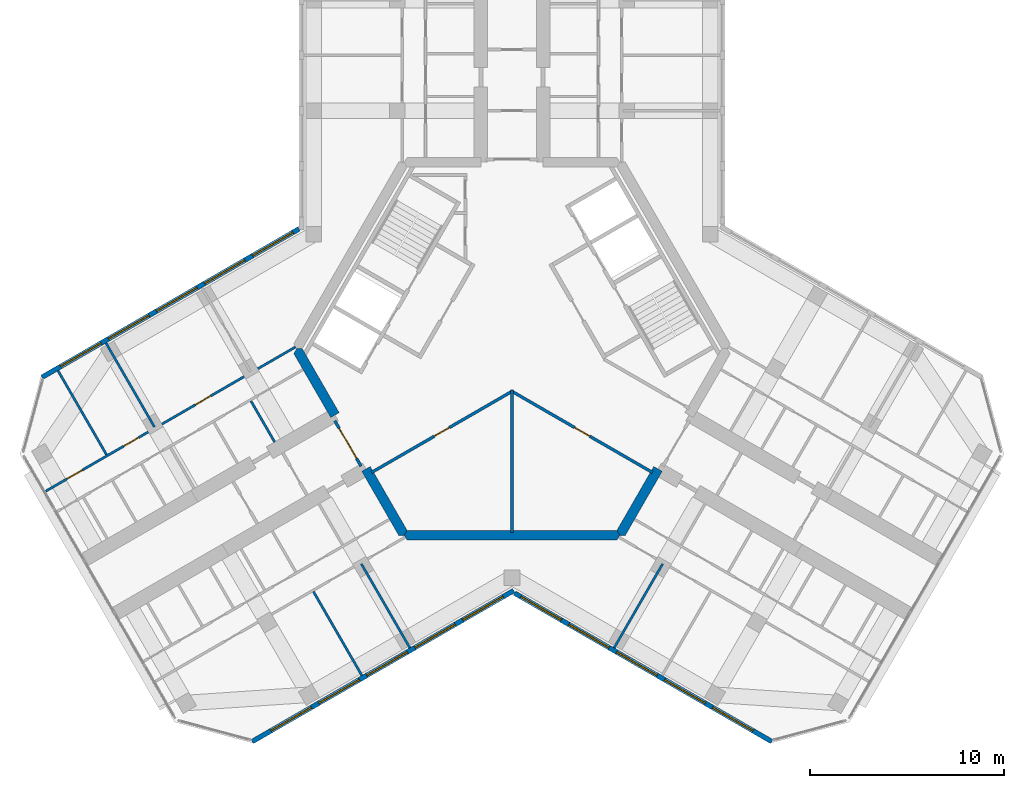
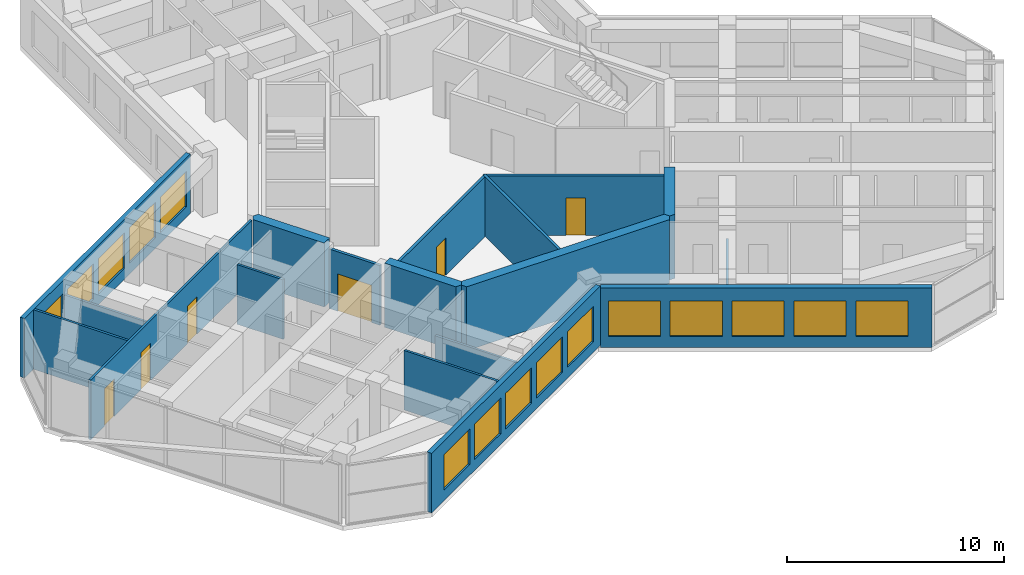
# One storey, part 8 of 14: 18 walls, 15 windows, 6 doors, 21 openings.
"""IFC4 building model written with IfcOpenShell, lengths in metres."""

from ifc_helpers import new_model, si_unit, direction, frame, frame_2d, origin, place, context, subcontext, project, spatial, polyline, rectangle, outline, extrude, material, layer, layer_set, type_object, element, fill, save


model = new_model("IFC4")

# Units and contexts
model_context = context("Model", 3, precision=1e-05, world=origin(), true_north=direction((0.0, 1.0)))
body_context = subcontext(model_context, "Body", "Model", "MODEL_VIEW")
ifc_project = project(units=[si_unit("LENGTHUNIT", "METRE"), si_unit("AREAUNIT", "SQUARE_METRE"), si_unit("VOLUMEUNIT", "CUBIC_METRE"), si_unit("PLANEANGLEUNIT", "RADIAN"), si_unit("MASSUNIT", "GRAM", prefix="KILO")], contexts=[model_context])

# Site, building, storey
site_placement = place(None, origin())
site = spatial("IfcSite", under=ifc_project, at=site_placement, CompositionType="ELEMENT")
building_placement = place(site_placement, origin())
building = spatial("IfcBuilding", under=site, at=building_placement, Name="Kosmar Iwan School Tower", CompositionType="ELEMENT")
storey_placement = place(building_placement, frame((0.0, 0.0, 285.39990234375)))
storey = spatial("IfcBuildingStorey", under=building, at=storey_placement, Name="L72", CompositionType="ELEMENT", Elevation=285.39990234375)

# Wall
ifc_material_1 = material(Name="Gypsum board on steel studs, fire-rated", Category="steel")
ifc_layer_1 = layer(ifc_material_1, 0.14990234375)
ifc_layer_set_1 = layer_set([ifc_layer_1], Name="Core room partition 150")
wall_type_1 = type_object("IfcWallType", Name="Core room partition 150", PredefinedType="PARTITIONING", material=ifc_layer_set_1)
wall_1_placement = place(storey_placement, frame((0.0, -9.445068359375, 0.0), z_axis=(0.0, 0.0, 1.0), x_axis=(0.0, 1.0, 0.0)))
element("IfcWall", 1, at=wall_1_placement, inside=storey, type_object=wall_type_1, Name="Core room partition L72-CW5", PredefinedType="PARTITIONING", context=body_context, shape_type="SweptSolid", body=[
    extrude(rectangle(XDim=7.326171875, YDim=0.14990234375, at=frame_2d((3.6630859375, 0.0))), origin(), (0.0, 0.0, 1.0), 3.35009765625),
])

# Wall, opening, door
wall_2_placement = place(storey_placement, frame((-0.06494140625, -2.156494140625, 0.0), z_axis=(0.0, 0.0, 1.0), x_axis=(0.866026299211, -0.499998449073, 0.0)))
wall_2 = element("IfcWall", 2, at=wall_2_placement, inside=storey, type_object=wall_type_1, Name="Core room partition L72-CW6", PredefinedType="PARTITIONING", context=body_context, shape_type="SweptSolid", body=[
    extrude(rectangle(XDim=8.4228515625, YDim=0.14990234375, at=frame_2d((4.21142578125, 0.0))), origin(), (0.0, 0.0, 1.0), 3.35009765625),
])
opening_1_placement = place(wall_2_placement, frame((3.797119140625, 0.0, 0.0)))
opening_1 = element("IfcOpeningElement", 3, at=opening_1_placement, cuts=wall_2, Name="Opening D14", PredefinedType="OPENING", context=body_context, shape_type="SweptSolid", body=[
    extrude(rectangle(XDim=0.89990234375, YDim=2.10009765625, at=frame_2d((0.449951171875, 1.050048828125))), frame((0.0, 0.0869140625, 0.0), z_axis=(0.0, -1.0, 0.0), x_axis=(1.0, 0.0, 0.0)), (0.0, 0.0, 1.0), 0.173828125),
])
ifc_material_2 = material(Name="Timber fire door in steel frame", Category="steel")
door_type_1 = type_object("IfcDoorType", Name="Core room door 900x2100", OperationType="SINGLE_SWING_LEFT", PredefinedType="DOOR", material=ifc_material_2)
door_1_placement = place(opening_1_placement, origin())
door_1 = element("IfcDoor", 4, at=door_1_placement, inside=storey, type_object=door_type_1, Name="Parcel room door L72 3", OperationType="SINGLE_SWING_RIGHT", OverallHeight=2.10009765625, OverallWidth=0.89990234375, PredefinedType="DOOR", context=body_context, shape_type="SweptSolid", body=[
    extrude(rectangle(XDim=0.89990234375, YDim=2.10009765625, at=frame_2d((0.449951171875, 1.050048828125))), frame((0.0, 0.02490234375, 0.0), z_axis=(0.0, -1.0, 0.0), x_axis=(1.0, 0.0, 0.0)), (0.0, 0.0, 1.0), 0.050048828125),
])
fill(opening_1, door_1)

wall_3_placement = place(storey_placement, frame((-7.2294921875, -6.367919921875, 0.0), z_axis=(0.0, 0.0, 1.0), x_axis=(0.866026299211, 0.499998449073, 0.0)))
wall_3 = element("IfcWall", 5, at=wall_3_placement, inside=storey, type_object=wall_type_1, Name="Core room partition L72-CW7", PredefinedType="PARTITIONING", context=body_context, shape_type="SweptSolid", body=[
    extrude(rectangle(XDim=8.4228515625, YDim=0.14990234375, at=frame_2d((4.21142578125, 0.0))), origin(), (0.0, 0.0, 1.0), 3.35009765625),
])
opening_2_placement = place(wall_3_placement, frame((3.72705078125, 0.0, 0.0)))
opening_2 = element("IfcOpeningElement", 6, at=opening_2_placement, cuts=wall_3, Name="Opening D14", PredefinedType="OPENING", context=body_context, shape_type="SweptSolid", body=[
    extrude(rectangle(XDim=0.89990234375, YDim=2.10009765625, at=frame_2d((0.449951171875, 1.050048828125))), frame((0.0, 0.0869140625, 0.0), z_axis=(0.0, -1.0, 0.0), x_axis=(1.0, 0.0, 0.0)), (0.0, 0.0, 1.0), 0.173828125),
])
door_2_placement = place(opening_2_placement, origin())
door_2 = element("IfcDoor", 7, at=door_2_placement, inside=storey, type_object=door_type_1, Name="Refuse and recycling room door L72 4", OperationType="SINGLE_SWING_LEFT", OverallHeight=2.10009765625, OverallWidth=0.89990234375, PredefinedType="DOOR", context=body_context, shape_type="SweptSolid", body=[
    extrude(rectangle(XDim=0.89990234375, YDim=2.10009765625, at=frame_2d((0.449951171875, 1.050048828125))), frame((0.0, 0.02490234375, 0.0), z_axis=(0.0, -1.0, 0.0), x_axis=(1.0, 0.0, 0.0)), (0.0, 0.0, 1.0), 0.050048828125),
])
fill(opening_2, door_2)

# Walls
ifc_material_3 = material(Name="Concrete C50/60", Category="concrete")
ifc_layer_2 = layer(ifc_material_3, 0.5)
ifc_layer_set_2 = layer_set([ifc_layer_2], Name="Core wall 500")
wall_type_2 = type_object("IfcWallType", Name="Core wall 500", PredefinedType="SHEAR", material=ifc_layer_set_2)
wall_4_placement = place(storey_placement, origin())
element("IfcWall", 8, at=wall_4_placement, inside=storey, type_object=wall_type_2, Name="Core wall F210a", PredefinedType="SHEAR", context=body_context, shape_type="SweptSolid", body=[
    extrude(outline(polyline([(-9.330322265625, -3.539306640625), (-8.897216796875, -3.289306640625), (-10.79638671875, 0.0), (-11.085205078125, 0.0), (-11.2294921875, -0.25), (-9.330322265625, -3.539306640625)])), origin(), (0.0, 0.0, 1.0), 3.60009765625),
])
wall_5_placement = place(storey_placement, origin())
element("IfcWall", 9, at=wall_5_placement, inside=storey, type_object=wall_type_2, Name="Core wall F210b", PredefinedType="SHEAR", context=body_context, shape_type="SweptSolid", body=[
    extrude(outline(polyline([(-5.831298828125, -9.60009765625), (-5.54248046875, -9.60009765625), (-5.398193359375, -9.35009765625), (-7.29736328125, -6.060546875), (-7.73046875, -6.310546875), (-5.831298828125, -9.60009765625)])), origin(), (0.0, 0.0, 1.0), 3.60009765625),
])
wall_6_placement = place(storey_placement, origin())
element("IfcWall", 10, at=wall_6_placement, inside=storey, type_object=wall_type_2, Name="Core wall F270", PredefinedType="SHEAR", context=body_context, shape_type="SweptSolid", body=[
    extrude(outline(polyline([(-5.398193359375, -9.85009765625), (5.398193359375, -9.85009765625), (5.54248046875, -9.60009765625), (5.398193359375, -9.35009765625), (-5.398193359375, -9.35009765625), (-5.54248046875, -9.60009765625), (-5.398193359375, -9.85009765625)])), origin(), (0.0, 0.0, 1.0), 3.60009765625),
])
wall_7_placement = place(storey_placement, origin())
element("IfcWall", 11, at=wall_7_placement, inside=storey, type_object=wall_type_2, Name="Core wall F330a", PredefinedType="SHEAR", context=body_context, shape_type="SweptSolid", body=[
    extrude(outline(polyline([(5.54248046875, -9.60009765625), (5.831298828125, -9.60009765625), (7.73046875, -6.310546875), (7.29736328125, -6.060546875), (5.398193359375, -9.35009765625), (5.54248046875, -9.60009765625)])), origin(), (0.0, 0.0, 1.0), 3.60009765625),
])

# Wall, opening, door
ifc_material_4 = material(Name="Steel framed glazed screen", Category="steel")
ifc_layer_3 = layer(ifc_material_4, 0.14990234375)
ifc_layer_set_3 = layer_set([ifc_layer_3], Name="Corridor screen wall 150")
wall_type_3 = type_object("IfcWallType", Name="Corridor screen wall 150", PredefinedType="PARTITIONING", material=ifc_layer_set_3)
wall_8_placement = place(storey_placement, frame((-9.11865234375, -3.705810546875, 0.0), z_axis=(0.0, 0.0, 1.0), x_axis=(0.4999416173, -0.866059108428, 0.0)))
wall_8 = element("IfcWall", 12, at=wall_8_placement, inside=storey, type_object=wall_type_3, Name="Corridor screen B L72", PredefinedType="PARTITIONING", context=body_context, shape_type="SweptSolid", body=[
    extrude(rectangle(XDim=2.699951171875, YDim=0.14990234375, at=frame_2d((1.35009765625, 0.0))), origin(), (0.0, 0.0, 1.0), 3.35009765625),
])
opening_3_placement = place(wall_8_placement, frame((0.449951171875, 0.0, 0.0)))
opening_3 = element("IfcOpeningElement", 13, at=opening_3_placement, cuts=wall_8, Name="Opening D9", PredefinedType="OPENING", context=body_context, shape_type="SweptSolid", body=[
    extrude(rectangle(XDim=1.800048828125, YDim=2.10009765625, at=frame_2d((0.89990234375, 1.050048828125))), frame((0.0, 0.0869140625, 0.0), z_axis=(0.0, -1.0, 0.0), x_axis=(1.0, 0.0, 0.0)), (0.0, 0.0, 1.0), 0.173828125),
])
ifc_material_5 = material(Name="Steel framed glazed smoke door", Category="steel")
door_type_2 = type_object("IfcDoorType", Name="Corridor smoke door pair 1800x2100", OperationType="DOUBLE_DOOR_DOUBLE_SWING", PredefinedType="DOOR", material=ifc_material_5)
door_3_placement = place(opening_3_placement, origin())
door_3 = element("IfcDoor", 14, at=door_3_placement, inside=storey, type_object=door_type_2, Name="Corridor doors B L72", OperationType="DOUBLE_DOOR_DOUBLE_SWING", OverallHeight=2.10009765625, OverallWidth=1.800048828125, PredefinedType="DOOR", context=body_context, shape_type="SweptSolid", body=[
    extrude(rectangle(XDim=1.800048828125, YDim=2.10009765625, at=frame_2d((0.89990234375, 1.050048828125))), frame((0.0, 0.02490234375, 0.0), z_axis=(0.0, -1.0, 0.0), x_axis=(1.0, 0.0, 0.0)), (0.0, 0.0, 1.0), 0.050048828125),
])
fill(opening_3, door_3)

# Walls
ifc_material_6 = material(Name="Gypsum board on steel studs", Category="steel")
ifc_layer_4 = layer(ifc_material_6, 0.1201171875)
ifc_layer_set_4 = layer_set([ifc_layer_4], Name="Dwelling partition 120")
wall_type_4 = type_object("IfcWallType", Name="Dwelling partition 120", PredefinedType="PARTITIONING", material=ifc_layer_set_4)
wall_9_placement = place(storey_placement, frame((-7.75390625, -11.070068359375, 0.0), z_axis=(0.0, 0.0, 1.0), x_axis=(0.500011847778, -0.866018563358, 0.0)))
element("IfcWall", 15, at=wall_9_placement, inside=storey, type_object=wall_type_4, Name="Partition L72-BL1-X1", PredefinedType="PARTITIONING", context=body_context, shape_type="SweptSolid", body=[
    extrude(rectangle(XDim=4.990234375, YDim=0.1201171875, at=frame_2d((2.4951171875, 0.0))), origin(), (0.0, 0.0, 1.0), 2.4501953125),
])
wall_10_placement = place(storey_placement, frame((-10.221923828125, -12.4951171875, 0.0), z_axis=(0.0, 0.0, 1.0), x_axis=(0.499996339024, -0.86602751744, 0.0)))
element("IfcWall", 16, at=wall_10_placement, inside=storey, type_object=wall_type_4, Name="Partition L72-BL1-X2", PredefinedType="PARTITIONING", context=body_context, shape_type="SweptSolid", body=[
    extrude(rectangle(XDim=4.98974609375, YDim=0.1201171875, at=frame_2d((2.494873046875, 0.0))), origin(), (0.0, 0.0, 1.0), 3.35009765625),
])

# Wall, openings, doors
wall_11_placement = place(storey_placement, frame((-11.138916015625, 0.093017578125, 0.0), z_axis=(0.0, 0.0, 1.0), x_axis=(-0.866030301974, -0.499991515992, 0.0)))
wall_11 = element("IfcWall", 17, at=wall_11_placement, inside=storey, type_object=wall_type_4, Name="Partition L72-BR1-W2", PredefinedType="PARTITIONING", context=body_context, shape_type="SweptSolid", body=[
    extrude(rectangle(XDim=14.844970703125, YDim=0.1201171875, at=frame_2d((7.42236328125, 0.0))), origin(), (0.0, 0.0, 1.0), 3.35009765625),
])
opening_4_placement = place(wall_11_placement, frame((5.050048828125, 0.0, 0.0)))
opening_4 = element("IfcOpeningElement", 18, at=opening_4_placement, cuts=wall_11, Name="Opening D2", PredefinedType="OPENING", context=body_context, shape_type="SweptSolid", body=[
    extrude(rectangle(XDim=0.89990234375, YDim=2.10009765625, at=frame_2d((0.449951171875, 1.050048828125))), frame((0.0, 0.072021484375, 0.0), z_axis=(0.0, -1.0, 0.0), x_axis=(1.0, 0.0, 0.0)), (0.0, 0.0, 1.0), 0.14404296875),
])
opening_5_placement = place(wall_11_placement, frame((9.324951171875, 0.0, 0.0)))
opening_5 = element("IfcOpeningElement", 19, at=opening_5_placement, cuts=wall_11, Name="Opening D2", PredefinedType="OPENING", context=body_context, shape_type="SweptSolid", body=[
    extrude(rectangle(XDim=0.89990234375, YDim=2.10009765625, at=frame_2d((0.449951171875, 1.050048828125))), frame((0.0, 0.072021484375, 0.0), z_axis=(0.0, -1.0, 0.0), x_axis=(1.0, 0.0, 0.0)), (0.0, 0.0, 1.0), 0.14404296875),
])
opening_6_placement = place(wall_11_placement, frame((12.675048828125, 0.0, 0.0)))
opening_6 = element("IfcOpeningElement", 20, at=opening_6_placement, cuts=wall_11, Name="Opening D2", PredefinedType="OPENING", context=body_context, shape_type="SweptSolid", body=[
    extrude(rectangle(XDim=0.89990234375, YDim=2.10009765625, at=frame_2d((0.449951171875, 1.050048828125))), frame((0.0, 0.072021484375, 0.0), z_axis=(0.0, -1.0, 0.0), x_axis=(1.0, 0.0, 0.0)), (0.0, 0.0, 1.0), 0.14404296875),
])
ifc_material_7 = material(Name="Timber door in timber frame", Category="wood")
door_type_3 = type_object("IfcDoorType", Name="Internal door 900x2100", OperationType="SINGLE_SWING_LEFT", PredefinedType="DOOR", material=ifc_material_7)
door_4_placement = place(opening_4_placement, origin())
door_4 = element("IfcDoor", 21, at=door_4_placement, inside=storey, type_object=door_type_3, Name="Living room door L72-BR1-F2", OperationType="SINGLE_SWING_LEFT", OverallHeight=2.10009765625, OverallWidth=0.89990234375, PredefinedType="DOOR", context=body_context, shape_type="SweptSolid", body=[
    extrude(rectangle(XDim=0.89990234375, YDim=2.10009765625, at=frame_2d((0.449951171875, 1.050048828125))), frame((0.0, 0.02490234375, 0.0), z_axis=(0.0, -1.0, 0.0), x_axis=(1.0, 0.0, 0.0)), (0.0, 0.0, 1.0), 0.050048828125),
])
fill(opening_4, door_4)
door_5_placement = place(opening_5_placement, origin())
door_5 = element("IfcDoor", 22, at=door_5_placement, inside=storey, type_object=door_type_3, Name="Dining room door L72-BR1-F3", OperationType="SINGLE_SWING_RIGHT", OverallHeight=2.10009765625, OverallWidth=0.89990234375, PredefinedType="DOOR", context=body_context, shape_type="SweptSolid", body=[
    extrude(rectangle(XDim=0.89990234375, YDim=2.10009765625, at=frame_2d((0.449951171875, 1.050048828125))), frame((0.0, 0.02490234375, 0.0), z_axis=(0.0, -1.0, 0.0), x_axis=(1.0, 0.0, 0.0)), (0.0, 0.0, 1.0), 0.050048828125),
])
fill(opening_5, door_5)
door_6_placement = place(opening_6_placement, origin())
door_6 = element("IfcDoor", 23, at=door_6_placement, inside=storey, type_object=door_type_3, Name="Bedroom 1 door L72-BR1-F4", OperationType="SINGLE_SWING_RIGHT", OverallHeight=2.10009765625, OverallWidth=0.89990234375, PredefinedType="DOOR", context=body_context, shape_type="SweptSolid", body=[
    extrude(rectangle(XDim=0.89990234375, YDim=2.10009765625, at=frame_2d((0.449951171875, 1.050048828125))), frame((0.0, 0.02490234375, 0.0), z_axis=(0.0, -1.0, 0.0), x_axis=(1.0, 0.0, 0.0)), (0.0, 0.0, 1.0), 0.050048828125),
])
fill(opening_6, door_6)

# Walls
wall_12_placement = place(storey_placement, frame((-18.400146484375, -4.030029296875, 0.0), z_axis=(0.0, 0.0, 1.0), x_axis=(-0.500011847778, 0.866018563358, 0.0)))
element("IfcWall", 24, at=wall_12_placement, inside=storey, type_object=wall_type_4, Name="Partition L72-BR1-X2", PredefinedType="PARTITIONING", context=body_context, shape_type="SweptSolid", body=[
    extrude(rectangle(XDim=4.990234375, YDim=0.1201171875, at=frame_2d((2.4951171875, 0.0))), origin(), (0.0, 0.0, 1.0), 2.4501953125),
])
wall_13_placement = place(storey_placement, frame((-20.868408203125, -5.455078125, 0.0), z_axis=(0.0, 0.0, 1.0), x_axis=(-0.499975153383, 0.86603974851, 0.0)))
element("IfcWall", 25, at=wall_13_placement, inside=storey, type_object=wall_type_4, Name="Partition L72-BR1-X3", PredefinedType="PARTITIONING", context=body_context, shape_type="SweptSolid", body=[
    extrude(rectangle(XDim=4.989990234375, YDim=0.1201171875, at=frame_2d((2.4951171875, 0.0))), origin(), (0.0, 0.0, 1.0), 3.35009765625),
])
wall_14_placement = place(storey_placement, frame((-12.216064453125, -4.80126953125, 0.0), z_axis=(0.0, 0.0, 1.0), x_axis=(-0.500002508028, 0.866023955769, 0.0)))
element("IfcWall", 26, at=wall_14_placement, inside=storey, type_object=wall_type_4, Name="Partition L72-BR1-Y1", PredefinedType="PARTITIONING", context=body_context, shape_type="SweptSolid", body=[
    extrude(rectangle(XDim=2.43994140625, YDim=0.1201171875, at=frame_2d((1.219970703125, 0.0))), origin(), (0.0, 0.0, 1.0), 3.35009765625),
])
wall_15_placement = place(storey_placement, frame((7.75390625, -11.070068359375, 0.0), z_axis=(0.0, 0.0, 1.0), x_axis=(-0.500011847778, -0.866018563358, 0.0)))
element("IfcWall", 27, at=wall_15_placement, inside=storey, type_object=wall_type_4, Name="Partition L72-CR1-X1", PredefinedType="PARTITIONING", context=body_context, shape_type="SweptSolid", body=[
    extrude(rectangle(XDim=4.990234375, YDim=0.1201171875, at=frame_2d((2.4951171875, 0.0))), origin(), (0.0, 0.0, 1.0), 2.4501953125),
])

# Wall, openings, windows
ifc_material_8 = material(Name="Black aluminium rainscreen on insulated framing", Category="aluminium")
ifc_layer_5 = layer(ifc_material_8, 0.25)
ifc_layer_set_5 = layer_set([ifc_layer_5], Name="External wall rainscreen 250")
wall_type_5 = type_object("IfcWallType", Name="External wall rainscreen 250", PredefinedType="SOLIDWALL", material=ifc_layer_set_5)
wall_16_placement = place(storey_placement, frame((0.088134765625, -12.44873046875, 0.0), z_axis=(0.0, 0.0, 1.0), x_axis=(-0.866029894971, -0.499992220956, 0.0)))
wall_16 = element("IfcWall", 28, at=wall_16_placement, inside=storey, type_object=wall_type_5, Name="External wall BL L72", PredefinedType="SOLIDWALL", context=body_context, shape_type="SweptSolid", body=[
    extrude(rectangle(XDim=15.537353515625, YDim=0.25, at=frame_2d((7.7685546875, 0.0))), origin(), (0.0, 0.0, 1.0), 3.35009765625),
])
opening_7_placement = place(wall_16_placement, frame((0.626953125, 0.0, 0.60009765625)))
opening_7 = element("IfcOpeningElement", 29, at=opening_7_placement, cuts=wall_16, Name="Opening W6", PredefinedType="OPENING", context=body_context, shape_type="SweptSolid", body=[
    extrude(rectangle(XDim=2.39990234375, YDim=2.0, at=frame_2d((1.199951171875, 1.0))), frame((0.0, 0.136962890625, 0.0), z_axis=(0.0, -1.0, 0.0), x_axis=(1.0, 0.0, 0.0)), (0.0, 0.0, 1.0), 0.27392578125),
])
opening_8_placement = place(wall_16_placement, frame((3.47705078125, 0.0, 0.60009765625)))
opening_8 = element("IfcOpeningElement", 30, at=opening_8_placement, cuts=wall_16, Name="Opening W6", PredefinedType="OPENING", context=body_context, shape_type="SweptSolid", body=[
    extrude(rectangle(XDim=2.39990234375, YDim=2.0, at=frame_2d((1.199951171875, 1.0))), frame((0.0, 0.136962890625, 0.0), z_axis=(0.0, -1.0, 0.0), x_axis=(1.0, 0.0, 0.0)), (0.0, 0.0, 1.0), 0.27392578125),
])
opening_9_placement = place(wall_16_placement, frame((6.326904296875, 0.0, 0.60009765625)))
opening_9 = element("IfcOpeningElement", 31, at=opening_9_placement, cuts=wall_16, Name="Opening W6", PredefinedType="OPENING", context=body_context, shape_type="SweptSolid", body=[
    extrude(rectangle(XDim=2.39990234375, YDim=2.0, at=frame_2d((1.199951171875, 1.0))), frame((0.0, 0.136962890625, 0.0), z_axis=(0.0, -1.0, 0.0), x_axis=(1.0, 0.0, 0.0)), (0.0, 0.0, 1.0), 0.27392578125),
])
opening_10_placement = place(wall_16_placement, frame((9.177001953125, 0.0, 0.60009765625)))
opening_10 = element("IfcOpeningElement", 32, at=opening_10_placement, cuts=wall_16, Name="Opening W6", PredefinedType="OPENING", context=body_context, shape_type="SweptSolid", body=[
    extrude(rectangle(XDim=2.39990234375, YDim=2.0, at=frame_2d((1.199951171875, 1.0))), frame((0.0, 0.136962890625, 0.0), z_axis=(0.0, -1.0, 0.0), x_axis=(1.0, 0.0, 0.0)), (0.0, 0.0, 1.0), 0.27392578125),
])
opening_11_placement = place(wall_16_placement, frame((12.027099609375, 0.0, 0.60009765625)))
opening_11 = element("IfcOpeningElement", 33, at=opening_11_placement, cuts=wall_16, Name="Opening W6", PredefinedType="OPENING", context=body_context, shape_type="SweptSolid", body=[
    extrude(rectangle(XDim=2.39990234375, YDim=2.0, at=frame_2d((1.199951171875, 1.0))), frame((0.0, 0.136962890625, 0.0), z_axis=(0.0, -1.0, 0.0), x_axis=(1.0, 0.0, 0.0)), (0.0, 0.0, 1.0), 0.27392578125),
])
ifc_material_9 = material(Name="Black aluminium frame with dark triple glazing", Category="aluminium")
window_type = type_object("IfcWindowType", Name="Window 2400x2000", PartitioningType="SINGLE_PANEL", PredefinedType="WINDOW", material=ifc_material_9)
window_1_placement = place(opening_7_placement, origin())
window_1 = element("IfcWindow", 34, at=window_1_placement, inside=storey, type_object=window_type, Name="Window BL L72 -1", OverallHeight=2.0, OverallWidth=2.39990234375, PartitioningType="SINGLE_PANEL", PredefinedType="WINDOW", context=body_context, shape_type="SweptSolid", body=[
    extrude(rectangle(XDim=2.39990234375, YDim=2.0, at=frame_2d((1.199951171875, 1.0))), frame((0.0, 0.030029296875, 0.0), z_axis=(0.0, -1.0, 0.0), x_axis=(1.0, 0.0, 0.0)), (0.0, 0.0, 1.0), 0.06005859375),
])
fill(opening_7, window_1)
window_2_placement = place(opening_8_placement, origin())
window_2 = element("IfcWindow", 35, at=window_2_placement, inside=storey, type_object=window_type, Name="Window BL L72 0", OverallHeight=2.0, OverallWidth=2.39990234375, PartitioningType="SINGLE_PANEL", PredefinedType="WINDOW", context=body_context, shape_type="SweptSolid", body=[
    extrude(rectangle(XDim=2.39990234375, YDim=2.0, at=frame_2d((1.199951171875, 1.0))), frame((0.0, 0.030029296875, 0.0), z_axis=(0.0, -1.0, 0.0), x_axis=(1.0, 0.0, 0.0)), (0.0, 0.0, 1.0), 0.06005859375),
])
fill(opening_8, window_2)
window_3_placement = place(opening_9_placement, origin())
window_3 = element("IfcWindow", 36, at=window_3_placement, inside=storey, type_object=window_type, Name="Window BL L72 1", OverallHeight=2.0, OverallWidth=2.39990234375, PartitioningType="SINGLE_PANEL", PredefinedType="WINDOW", context=body_context, shape_type="SweptSolid", body=[
    extrude(rectangle(XDim=2.39990234375, YDim=2.0, at=frame_2d((1.199951171875, 1.0))), frame((0.0, 0.030029296875, 0.0), z_axis=(0.0, -1.0, 0.0), x_axis=(1.0, 0.0, 0.0)), (0.0, 0.0, 1.0), 0.06005859375),
])
fill(opening_9, window_3)
window_4_placement = place(opening_10_placement, origin())
window_4 = element("IfcWindow", 37, at=window_4_placement, inside=storey, type_object=window_type, Name="Window BL L72 2", OverallHeight=2.0, OverallWidth=2.39990234375, PartitioningType="SINGLE_PANEL", PredefinedType="WINDOW", context=body_context, shape_type="SweptSolid", body=[
    extrude(rectangle(XDim=2.39990234375, YDim=2.0, at=frame_2d((1.199951171875, 1.0))), frame((0.0, 0.030029296875, 0.0), z_axis=(0.0, -1.0, 0.0), x_axis=(1.0, 0.0, 0.0)), (0.0, 0.0, 1.0), 0.06005859375),
])
fill(opening_10, window_4)
window_5_placement = place(opening_11_placement, origin())
window_5 = element("IfcWindow", 38, at=window_5_placement, inside=storey, type_object=window_type, Name="Window BL L72 3", OverallHeight=2.0, OverallWidth=2.39990234375, PartitioningType="SINGLE_PANEL", PredefinedType="WINDOW", context=body_context, shape_type="SweptSolid", body=[
    extrude(rectangle(XDim=2.39990234375, YDim=2.0, at=frame_2d((1.199951171875, 1.0))), frame((0.0, 0.030029296875, 0.0), z_axis=(0.0, -1.0, 0.0), x_axis=(1.0, 0.0, 0.0)), (0.0, 0.0, 1.0), 0.06005859375),
])
fill(opening_11, window_5)

wall_17_placement = place(storey_placement, frame((0.137939453125, -12.5791015625, 0.0), z_axis=(0.0, 0.0, 1.0), x_axis=(0.866025637253, -0.499999595621, 0.0)))
wall_17 = element("IfcWall", 39, at=wall_17_placement, inside=storey, type_object=wall_type_5, Name="External wall CR L72", PredefinedType="SOLIDWALL", context=body_context, shape_type="SweptSolid", body=[
    extrude(rectangle(XDim=15.2763671875, YDim=0.25, at=frame_2d((7.63818359375, 0.0))), origin(), (0.0, 0.0, 1.0), 3.35009765625),
])
opening_12_placement = place(wall_17_placement, frame((0.365966796875, 0.0, 0.60009765625)))
opening_12 = element("IfcOpeningElement", 40, at=opening_12_placement, cuts=wall_17, Name="Opening W6", PredefinedType="OPENING", context=body_context, shape_type="SweptSolid", body=[
    extrude(rectangle(XDim=2.39990234375, YDim=2.0, at=frame_2d((1.199951171875, 1.0))), frame((0.0, 0.136962890625, 0.0), z_axis=(0.0, -1.0, 0.0), x_axis=(1.0, 0.0, 0.0)), (0.0, 0.0, 1.0), 0.27392578125),
])
opening_13_placement = place(wall_17_placement, frame((3.216064453125, 0.0, 0.60009765625)))
opening_13 = element("IfcOpeningElement", 41, at=opening_13_placement, cuts=wall_17, Name="Opening W6", PredefinedType="OPENING", context=body_context, shape_type="SweptSolid", body=[
    extrude(rectangle(XDim=2.39990234375, YDim=2.0, at=frame_2d((1.199951171875, 1.0))), frame((0.0, 0.136962890625, 0.0), z_axis=(0.0, -1.0, 0.0), x_axis=(1.0, 0.0, 0.0)), (0.0, 0.0, 1.0), 0.27392578125),
])
opening_14_placement = place(wall_17_placement, frame((6.06591796875, 0.0, 0.60009765625)))
opening_14 = element("IfcOpeningElement", 42, at=opening_14_placement, cuts=wall_17, Name="Opening W6", PredefinedType="OPENING", context=body_context, shape_type="SweptSolid", body=[
    extrude(rectangle(XDim=2.39990234375, YDim=2.0, at=frame_2d((1.199951171875, 1.0))), frame((0.0, 0.136962890625, 0.0), z_axis=(0.0, -1.0, 0.0), x_axis=(1.0, 0.0, 0.0)), (0.0, 0.0, 1.0), 0.27392578125),
])
opening_15_placement = place(wall_17_placement, frame((8.916015625, 0.0, 0.60009765625)))
opening_15 = element("IfcOpeningElement", 43, at=opening_15_placement, cuts=wall_17, Name="Opening W6", PredefinedType="OPENING", context=body_context, shape_type="SweptSolid", body=[
    extrude(rectangle(XDim=2.39990234375, YDim=2.0, at=frame_2d((1.199951171875, 1.0))), frame((0.0, 0.136962890625, 0.0), z_axis=(0.0, -1.0, 0.0), x_axis=(1.0, 0.0, 0.0)), (0.0, 0.0, 1.0), 0.27392578125),
])
opening_16_placement = place(wall_17_placement, frame((11.76611328125, 0.0, 0.60009765625)))
opening_16 = element("IfcOpeningElement", 44, at=opening_16_placement, cuts=wall_17, Name="Opening W6", PredefinedType="OPENING", context=body_context, shape_type="SweptSolid", body=[
    extrude(rectangle(XDim=2.39990234375, YDim=2.0, at=frame_2d((1.199951171875, 1.0))), frame((0.0, 0.136962890625, 0.0), z_axis=(0.0, -1.0, 0.0), x_axis=(1.0, 0.0, 0.0)), (0.0, 0.0, 1.0), 0.27392578125),
])
window_6_placement = place(opening_12_placement, origin())
window_6 = element("IfcWindow", 45, at=window_6_placement, inside=storey, type_object=window_type, Name="Window CR L72 -1", OverallHeight=2.0, OverallWidth=2.39990234375, PartitioningType="SINGLE_PANEL", PredefinedType="WINDOW", context=body_context, shape_type="SweptSolid", body=[
    extrude(rectangle(XDim=2.39990234375, YDim=2.0, at=frame_2d((1.199951171875, 1.0))), frame((0.0, 0.030029296875, 0.0), z_axis=(0.0, -1.0, 0.0), x_axis=(1.0, 0.0, 0.0)), (0.0, 0.0, 1.0), 0.06005859375),
])
fill(opening_12, window_6)
window_7_placement = place(opening_13_placement, origin())
window_7 = element("IfcWindow", 46, at=window_7_placement, inside=storey, type_object=window_type, Name="Window CR L72 0", OverallHeight=2.0, OverallWidth=2.39990234375, PartitioningType="SINGLE_PANEL", PredefinedType="WINDOW", context=body_context, shape_type="SweptSolid", body=[
    extrude(rectangle(XDim=2.39990234375, YDim=2.0, at=frame_2d((1.199951171875, 1.0))), frame((0.0, 0.030029296875, 0.0), z_axis=(0.0, -1.0, 0.0), x_axis=(1.0, 0.0, 0.0)), (0.0, 0.0, 1.0), 0.06005859375),
])
fill(opening_13, window_7)
window_8_placement = place(opening_14_placement, origin())
window_8 = element("IfcWindow", 47, at=window_8_placement, inside=storey, type_object=window_type, Name="Window CR L72 1", OverallHeight=2.0, OverallWidth=2.39990234375, PartitioningType="SINGLE_PANEL", PredefinedType="WINDOW", context=body_context, shape_type="SweptSolid", body=[
    extrude(rectangle(XDim=2.39990234375, YDim=2.0, at=frame_2d((1.199951171875, 1.0))), frame((0.0, 0.030029296875, 0.0), z_axis=(0.0, -1.0, 0.0), x_axis=(1.0, 0.0, 0.0)), (0.0, 0.0, 1.0), 0.06005859375),
])
fill(opening_14, window_8)
window_9_placement = place(opening_15_placement, origin())
window_9 = element("IfcWindow", 48, at=window_9_placement, inside=storey, type_object=window_type, Name="Window CR L72 2", OverallHeight=2.0, OverallWidth=2.39990234375, PartitioningType="SINGLE_PANEL", PredefinedType="WINDOW", context=body_context, shape_type="SweptSolid", body=[
    extrude(rectangle(XDim=2.39990234375, YDim=2.0, at=frame_2d((1.199951171875, 1.0))), frame((0.0, 0.030029296875, 0.0), z_axis=(0.0, -1.0, 0.0), x_axis=(1.0, 0.0, 0.0)), (0.0, 0.0, 1.0), 0.06005859375),
])
fill(opening_15, window_9)
window_10_placement = place(opening_16_placement, origin())
window_10 = element("IfcWindow", 49, at=window_10_placement, inside=storey, type_object=window_type, Name="Window CR L72 3", OverallHeight=2.0, OverallWidth=2.39990234375, PartitioningType="SINGLE_PANEL", PredefinedType="WINDOW", context=body_context, shape_type="SweptSolid", body=[
    extrude(rectangle(XDim=2.39990234375, YDim=2.0, at=frame_2d((1.199951171875, 1.0))), frame((0.0, 0.030029296875, 0.0), z_axis=(0.0, -1.0, 0.0), x_axis=(1.0, 0.0, 0.0)), (0.0, 0.0, 1.0), 0.06005859375),
])
fill(opening_16, window_10)

wall_18_placement = place(storey_placement, frame((-10.962890625, 6.170166015625, 0.0), z_axis=(0.0, 0.0, 1.0), x_axis=(-0.866025637253, -0.499999595621, 0.0)))
wall_18 = element("IfcWall", 50, at=wall_18_placement, inside=storey, type_object=wall_type_5, Name="External wall BR L72", PredefinedType="SOLIDWALL", context=body_context, shape_type="SweptSolid", body=[
    extrude(rectangle(XDim=15.2763671875, YDim=0.25, at=frame_2d((7.63818359375, 0.0))), origin(), (0.0, 0.0, 1.0), 3.35009765625),
])
opening_17_placement = place(wall_18_placement, frame((0.365966796875, 0.0, 0.60009765625)))
opening_17 = element("IfcOpeningElement", 51, at=opening_17_placement, cuts=wall_18, Name="Opening W6", PredefinedType="OPENING", context=body_context, shape_type="SweptSolid", body=[
    extrude(rectangle(XDim=2.39990234375, YDim=2.0, at=frame_2d((1.199951171875, 1.0))), frame((0.0, 0.136962890625, 0.0), z_axis=(0.0, -1.0, 0.0), x_axis=(1.0, 0.0, 0.0)), (0.0, 0.0, 1.0), 0.27392578125),
])
opening_18_placement = place(wall_18_placement, frame((3.216064453125, 0.0, 0.60009765625)))
opening_18 = element("IfcOpeningElement", 52, at=opening_18_placement, cuts=wall_18, Name="Opening W6", PredefinedType="OPENING", context=body_context, shape_type="SweptSolid", body=[
    extrude(rectangle(XDim=2.39990234375, YDim=2.0, at=frame_2d((1.199951171875, 1.0))), frame((0.0, 0.136962890625, 0.0), z_axis=(0.0, -1.0, 0.0), x_axis=(1.0, 0.0, 0.0)), (0.0, 0.0, 1.0), 0.27392578125),
])
opening_19_placement = place(wall_18_placement, frame((6.06591796875, 0.0, 0.60009765625)))
opening_19 = element("IfcOpeningElement", 53, at=opening_19_placement, cuts=wall_18, Name="Opening W6", PredefinedType="OPENING", context=body_context, shape_type="SweptSolid", body=[
    extrude(rectangle(XDim=2.39990234375, YDim=2.0, at=frame_2d((1.199951171875, 1.0))), frame((0.0, 0.136962890625, 0.0), z_axis=(0.0, -1.0, 0.0), x_axis=(1.0, 0.0, 0.0)), (0.0, 0.0, 1.0), 0.27392578125),
])
opening_20_placement = place(wall_18_placement, frame((8.916015625, 0.0, 0.60009765625)))
opening_20 = element("IfcOpeningElement", 54, at=opening_20_placement, cuts=wall_18, Name="Opening W6", PredefinedType="OPENING", context=body_context, shape_type="SweptSolid", body=[
    extrude(rectangle(XDim=2.39990234375, YDim=2.0, at=frame_2d((1.199951171875, 1.0))), frame((0.0, 0.136962890625, 0.0), z_axis=(0.0, -1.0, 0.0), x_axis=(1.0, 0.0, 0.0)), (0.0, 0.0, 1.0), 0.27392578125),
])
opening_21_placement = place(wall_18_placement, frame((11.76611328125, 0.0, 0.60009765625)))
opening_21 = element("IfcOpeningElement", 55, at=opening_21_placement, cuts=wall_18, Name="Opening W6", PredefinedType="OPENING", context=body_context, shape_type="SweptSolid", body=[
    extrude(rectangle(XDim=2.39990234375, YDim=2.0, at=frame_2d((1.199951171875, 1.0))), frame((0.0, 0.136962890625, 0.0), z_axis=(0.0, -1.0, 0.0), x_axis=(1.0, 0.0, 0.0)), (0.0, 0.0, 1.0), 0.27392578125),
])
window_11_placement = place(opening_17_placement, origin())
window_11 = element("IfcWindow", 56, at=window_11_placement, inside=storey, type_object=window_type, Name="Window BR L72 -1", OverallHeight=2.0, OverallWidth=2.39990234375, PartitioningType="SINGLE_PANEL", PredefinedType="WINDOW", context=body_context, shape_type="SweptSolid", body=[
    extrude(rectangle(XDim=2.39990234375, YDim=2.0, at=frame_2d((1.199951171875, 1.0))), frame((0.0, 0.030029296875, 0.0), z_axis=(0.0, -1.0, 0.0), x_axis=(1.0, 0.0, 0.0)), (0.0, 0.0, 1.0), 0.06005859375),
])
fill(opening_17, window_11)
window_12_placement = place(opening_18_placement, origin())
window_12 = element("IfcWindow", 57, at=window_12_placement, inside=storey, type_object=window_type, Name="Window BR L72 0", OverallHeight=2.0, OverallWidth=2.39990234375, PartitioningType="SINGLE_PANEL", PredefinedType="WINDOW", context=body_context, shape_type="SweptSolid", body=[
    extrude(rectangle(XDim=2.39990234375, YDim=2.0, at=frame_2d((1.199951171875, 1.0))), frame((0.0, 0.030029296875, 0.0), z_axis=(0.0, -1.0, 0.0), x_axis=(1.0, 0.0, 0.0)), (0.0, 0.0, 1.0), 0.06005859375),
])
fill(opening_18, window_12)
window_13_placement = place(opening_19_placement, origin())
window_13 = element("IfcWindow", 58, at=window_13_placement, inside=storey, type_object=window_type, Name="Window BR L72 1", OverallHeight=2.0, OverallWidth=2.39990234375, PartitioningType="SINGLE_PANEL", PredefinedType="WINDOW", context=body_context, shape_type="SweptSolid", body=[
    extrude(rectangle(XDim=2.39990234375, YDim=2.0, at=frame_2d((1.199951171875, 1.0))), frame((0.0, 0.030029296875, 0.0), z_axis=(0.0, -1.0, 0.0), x_axis=(1.0, 0.0, 0.0)), (0.0, 0.0, 1.0), 0.06005859375),
])
fill(opening_19, window_13)
window_14_placement = place(opening_20_placement, origin())
window_14 = element("IfcWindow", 59, at=window_14_placement, inside=storey, type_object=window_type, Name="Window BR L72 2", OverallHeight=2.0, OverallWidth=2.39990234375, PartitioningType="SINGLE_PANEL", PredefinedType="WINDOW", context=body_context, shape_type="SweptSolid", body=[
    extrude(rectangle(XDim=2.39990234375, YDim=2.0, at=frame_2d((1.199951171875, 1.0))), frame((0.0, 0.030029296875, 0.0), z_axis=(0.0, -1.0, 0.0), x_axis=(1.0, 0.0, 0.0)), (0.0, 0.0, 1.0), 0.06005859375),
])
fill(opening_20, window_14)
window_15_placement = place(opening_21_placement, origin())
window_15 = element("IfcWindow", 60, at=window_15_placement, inside=storey, type_object=window_type, Name="Window BR L72 3", OverallHeight=2.0, OverallWidth=2.39990234375, PartitioningType="SINGLE_PANEL", PredefinedType="WINDOW", context=body_context, shape_type="SweptSolid", body=[
    extrude(rectangle(XDim=2.39990234375, YDim=2.0, at=frame_2d((1.199951171875, 1.0))), frame((0.0, 0.030029296875, 0.0), z_axis=(0.0, -1.0, 0.0), x_axis=(1.0, 0.0, 0.0)), (0.0, 0.0, 1.0), 0.06005859375),
])
fill(opening_21, window_15)

save(model, "model.ifc")
